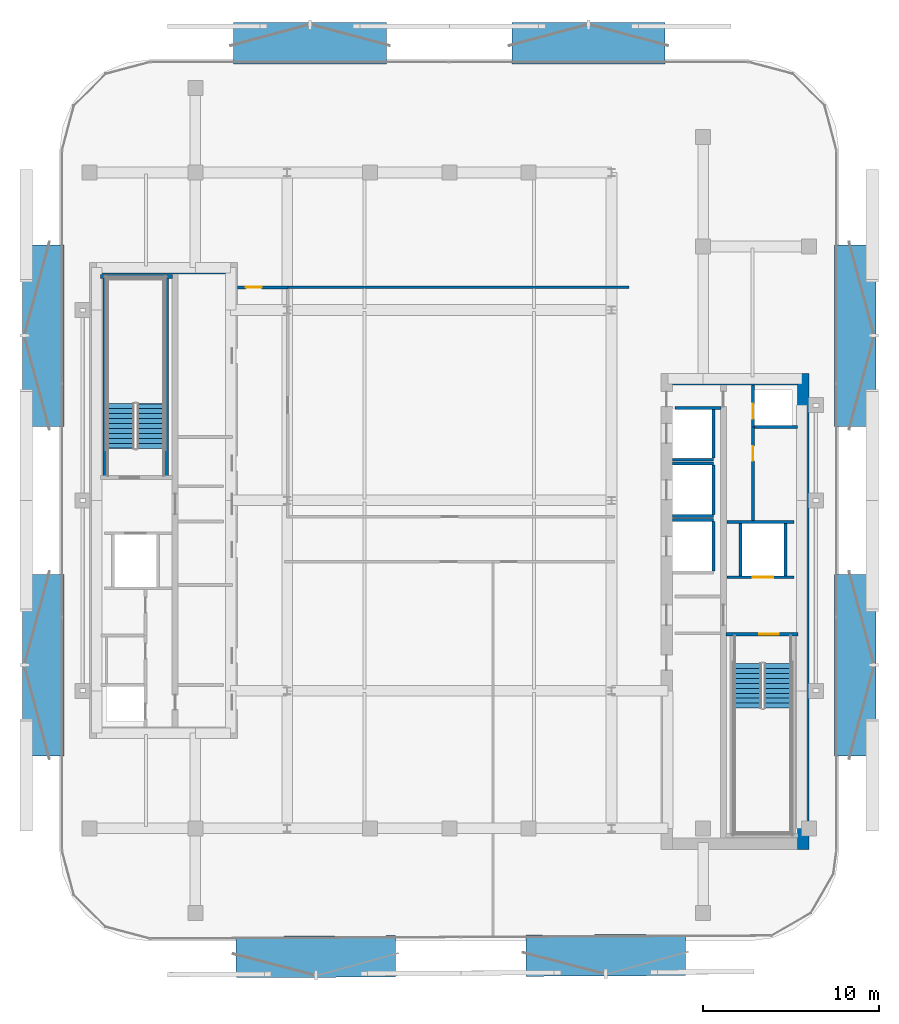
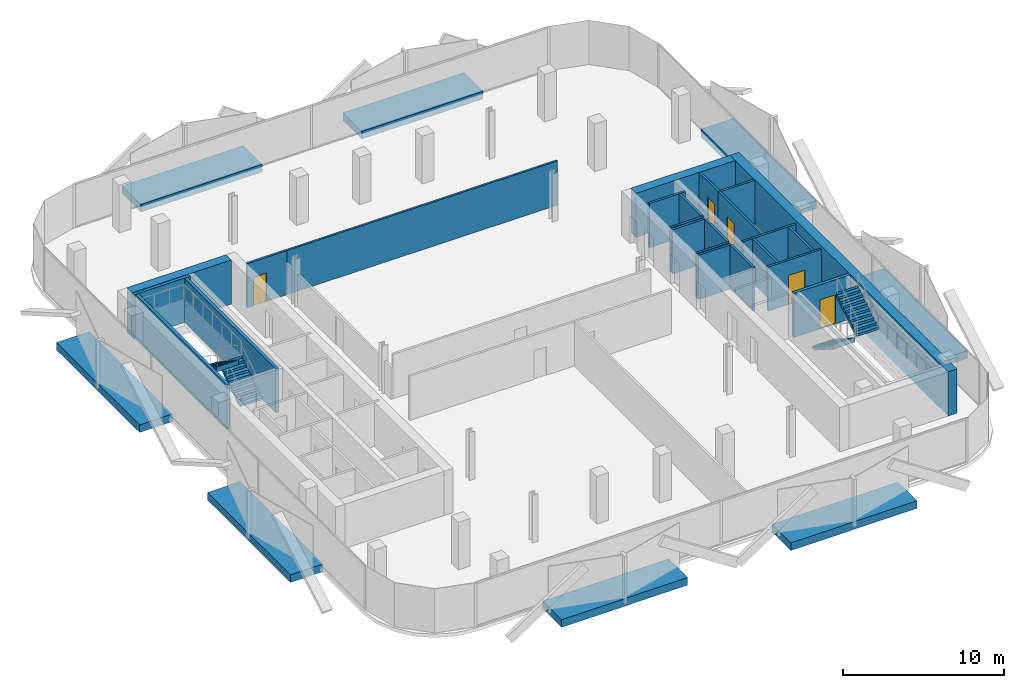
# One storey, part 4 of 11: 24 walls, 8 discrete accessories, 5 doors, 4 stair flights, 5 openings, 2 elements without a shape of their own.
"""IFC4 building model written with IfcOpenShell, lengths in metres."""

from ifc_helpers import new_model, si_unit, direction, frame, frame_2d, origin, origin_2d, place, context, subcontext, project, spatial, polyline, rectangle, outline, extrude, material, layer, layer_set, type_object, element, fill, aggregate, save


model = new_model("IFC4")

# Units and contexts
model_context = context("Model", 3, precision=1e-05, world=origin(), true_north=direction((0.0, 1.0)))
body_context = subcontext(model_context, "Body", "Model", "MODEL_VIEW")
ifc_project = project(units=[si_unit("LENGTHUNIT", "METRE"), si_unit("AREAUNIT", "SQUARE_METRE"), si_unit("VOLUMEUNIT", "CUBIC_METRE"), si_unit("PLANEANGLEUNIT", "RADIAN"), si_unit("MASSUNIT", "GRAM", prefix="KILO")], contexts=[model_context])

# Site, building, storey
site_placement = place(None, origin())
site = spatial("IfcSite", under=ifc_project, at=site_placement, CompositionType="ELEMENT")
building_placement = place(site_placement, origin())
building = spatial("IfcBuilding", under=site, at=building_placement, Name="Khairoan Windgate Tower", CompositionType="ELEMENT")
storey_placement = place(building_placement, frame((0.0, 0.0, 222.39990234375)))
storey = spatial("IfcBuildingStorey", under=building, at=storey_placement, Name="L51", CompositionType="ELEMENT", Elevation=222.39990234375)

# Walls
ifc_material_1 = material(Name="Concrete C40/50", Category="concrete")
ifc_layer_1 = layer(ifc_material_1, 0.159912109375, Name="Concrete C40/50")
ifc_layer_set_1 = layer_set([ifc_layer_1], Name="Concrete C40/50")
wall_type_1 = type_object("IfcWallType", Name="Core and Hoistway Enclosure Wall", PredefinedType="STANDARD", material=ifc_layer_set_1)
wall_1_placement = place(storey_placement, frame((12.64990234375, 2.31005859375, 0.0), z_axis=(0.0, 0.0, 1.0), x_axis=(1.0, 0.0, 0.0)))
element("IfcWall", 1, at=wall_1_placement, inside=storey, type_object=wall_type_1, Name="L51 Lift PL7 Hoistway Divider S", PredefinedType="STANDARD", context=body_context, shape_type="SweptSolid", body=[
    extrude(rectangle(XDim=2.340087890625, YDim=0.159912109375, at=frame_2d((1.169921875, 0.0))), origin(), (0.0, 0.0, 1.0), 3.340087890625),
])
wall_2_placement = place(storey_placement, frame((14.989990234375, 2.39990234375, 0.0), z_axis=(0.0, 0.0, 1.0), x_axis=(0.0, 1.0, 0.0)))
element("IfcWall", 2, at=wall_2_placement, inside=storey, type_object=wall_type_1, Name="L51 Lift PL7 Hoistway Back Wall", PredefinedType="STANDARD", context=body_context, shape_type="SweptSolid", body=[
    extrude(rectangle(XDim=2.800048828125, YDim=0.159912109375, at=frame_2d((1.39990234375, 0.0))), origin(), (0.0, 0.0, 1.0), 3.340087890625),
])
for number, where, z_axis, x_axis, name in (
    (3, (12.64990234375, -0.889892578125, 0.0), (0.0, 0.0, 1.0), (1.0, 0.0, 0.0), "L51 Lift PL8 Hoistway Divider S"),
    (4, (12.64990234375, 2.090087890625, 0.0), (0.0, 0.0, 1.0), (1.0, 0.0, 0.0), "L51 Lift PL8 Hoistway Divider N"),
):
    element("IfcWall", number, at=place(storey_placement, frame(where, z_axis=z_axis, x_axis=x_axis)), inside=storey, type_object=wall_type_1, Name=name, PredefinedType="STANDARD", context=body_context, shape_type="SweptSolid", body=[
        extrude(rectangle(XDim=2.340087890625, YDim=0.159912109375, at=frame_2d((1.169921875, 0.0))), origin(), (0.0, 0.0, 1.0), 3.340087890625),
    ])
wall_3_placement = place(storey_placement, frame((14.989990234375, -0.800048828125, 0.0), z_axis=(0.0, 0.0, 1.0), x_axis=(0.0, 1.0, 0.0)))
element("IfcWall", 5, at=wall_3_placement, inside=storey, type_object=wall_type_1, Name="L51 Lift PL8 Hoistway Back Wall", PredefinedType="STANDARD", context=body_context, shape_type="SweptSolid", body=[
    extrude(rectangle(XDim=2.800048828125, YDim=0.159912109375, at=frame_2d((1.39990234375, 0.0))), origin(), (0.0, 0.0, 1.0), 3.340087890625),
])
wall_4_placement = place(storey_placement, frame((12.64990234375, -1.110107421875, 0.0), z_axis=(0.0, 0.0, 1.0), x_axis=(1.0, 0.0, 0.0)))
element("IfcWall", 6, at=wall_4_placement, inside=storey, type_object=wall_type_1, Name="L51 Lift PL9 Hoistway Divider N", PredefinedType="STANDARD", context=body_context, shape_type="SweptSolid", body=[
    extrude(rectangle(XDim=2.340087890625, YDim=0.159912109375, at=frame_2d((1.169921875, 0.0))), origin(), (0.0, 0.0, 1.0), 3.340087890625),
])
wall_5_placement = place(storey_placement, frame((14.989990234375, -4.0, 0.0), z_axis=(0.0, 0.0, 1.0), x_axis=(0.0, 1.0, 0.0)))
element("IfcWall", 7, at=wall_5_placement, inside=storey, type_object=wall_type_1, Name="L51 Lift PL9 Hoistway Back Wall", PredefinedType="STANDARD", context=body_context, shape_type="SweptSolid", body=[
    extrude(rectangle(XDim=2.800048828125, YDim=0.159912109375, at=frame_2d((1.39990234375, 0.0))), origin(), (0.0, 0.0, 1.0), 3.340087890625),
])

# Wall, opening, door
wall_6_placement = place(storey_placement, frame((15.75, -4.360107421875, 0.0), z_axis=(0.0, 0.0, 1.0), x_axis=(1.0, 0.0, 0.0)))
wall_6 = element("IfcWall", 8, at=wall_6_placement, inside=storey, type_object=wall_type_1, Name="L51 Core Shaft Wall SW-FL1-L51", PredefinedType="STANDARD", context=body_context, shape_type="SweptSolid", body=[
    extrude(rectangle(XDim=3.800048828125, YDim=0.159912109375, at=frame_2d((1.89990234375, 0.0))), origin(), (0.0, 0.0, 1.0), 3.340087890625),
])
opening_1_placement = place(wall_6_placement, frame((1.469970703125, 0.0, 0.0)))
opening_1 = element("IfcOpeningElement", 9, at=opening_1_placement, cuts=wall_6, Name="Opening LD-FL", PredefinedType="OPENING", context=body_context, shape_type="SweptSolid", body=[
    extrude(rectangle(XDim=1.14990234375, YDim=2.199951171875, at=frame_2d((0.574951171875, 1.10009765625))), frame((0.0, 0.08984375, 0.0), z_axis=(0.0, -1.0, 0.0), x_axis=(1.0, 0.0, 0.0)), (0.0, 0.0, 1.0), 0.179931640625),
])
ifc_material_2 = material(Name="Steel S355", Category="steel")
door_type_1 = type_object("IfcDoorType", Name="Firefighting Lift Sliding Landing Door LD-FL 1150x2200", OperationType="DOUBLE_DOOR_SLIDING", PredefinedType="DOOR", material=ifc_material_2)
door_1_placement = place(opening_1_placement, origin())
door_1 = element("IfcDoor", 10, at=door_1_placement, inside=storey, type_object=door_type_1, Name="L51 Firefighting Lift FL1 Landing Door", OperationType="DOUBLE_DOOR_SLIDING", OverallHeight=2.199951171875, OverallWidth=1.14990234375, PredefinedType="DOOR", context=body_context, shape_type="SweptSolid", body=[
    extrude(rectangle(XDim=1.14990234375, YDim=2.199951171875, at=frame_2d((0.574951171875, 1.10009765625))), frame((0.0, 0.02490234375, 0.0), z_axis=(0.0, -1.0, 0.0), x_axis=(1.0, 0.0, 0.0)), (0.0, 0.0, 1.0), 0.050048828125),
])
fill(opening_1, door_1)

# Walls
wall_7_placement = place(storey_placement, frame((15.75, -1.219970703125, 0.0), z_axis=(0.0, 0.0, 1.0), x_axis=(1.0, 0.0, 0.0)))
element("IfcWall", 11, at=wall_7_placement, inside=storey, type_object=wall_type_1, Name="L51 Core Shaft Wall SW-FL1T-L51", PredefinedType="STANDARD", context=body_context, shape_type="SweptSolid", body=[
    extrude(rectangle(XDim=3.800048828125, YDim=0.159912109375, at=frame_2d((1.89990234375, 0.0))), origin(), (0.0, 0.0, 1.0), 3.340087890625),
])
for number, where, z_axis, x_axis, name in (
    (12, (16.52001953125, -4.280029296875, 0.0), (0.0, 0.0, 1.0), (0.0, 1.0, 0.0), "L51 Core Shaft Wall SW-FL1W-L51"),
    (13, (19.080078125, -4.280029296875, 0.0), (0.0, 0.0, 1.0), (0.0, 1.0, 0.0), "L51 Core Shaft Wall SW-FL1E-L51"),
):
    element("IfcWall", number, at=place(storey_placement, frame(where, z_axis=z_axis, x_axis=x_axis)), inside=storey, type_object=wall_type_1, Name=name, PredefinedType="STANDARD", context=body_context, shape_type="SweptSolid", body=[
        extrude(rectangle(XDim=2.97998046875, YDim=0.159912109375, at=frame_2d((1.489990234375, 0.0))), origin(), (0.0, 0.0, 1.0), 3.340087890625),
    ])
wall_8_placement = place(storey_placement, frame((12.800048828125, 5.25, 0.0), z_axis=(0.0, 0.0, 1.0), x_axis=(1.0, 0.0, 0.0)))
element("IfcWall", 14, at=wall_8_placement, inside=storey, type_object=wall_type_1, Name="L51 Core Shaft Wall SW-ESV-L51", PredefinedType="STANDARD", context=body_context, shape_type="SweptSolid", body=[
    extrude(rectangle(XDim=2.599853515625, YDim=0.159912109375, at=frame_2d((1.2998046875, 0.0))), origin(), (0.0, 0.0, 1.0), 3.340087890625),
])
ifc_material_3 = material(Name="Acoustic Fire-Rated Gypsum Partition", Category="gypsum")
ifc_layer_2 = layer(ifc_material_3, 0.139892578125, Name="Acoustic Fire-Rated Gypsum Partition")
ifc_layer_set_2 = layer_set([ifc_layer_2], Name="Acoustic Fire-Rated Gypsum Partition")
wall_type_2 = type_object("IfcWallType", Name="Inter-Tenancy Compartment Wall", PredefinedType="PARTITIONING", material=ifc_layer_set_2)
wall_9_placement = place(storey_placement, frame((-9.159912109375, 12.080078125, 0.0), z_axis=(0.0, 0.0, 1.0), x_axis=(1.0, 0.0, 0.0)))
element("IfcWall", 15, at=wall_9_placement, inside=storey, type_object=wall_type_2, Name="L51 Interior Partition 016", PredefinedType="PARTITIONING", context=body_context, shape_type="SweptSolid", body=[
    extrude(rectangle(XDim=19.349853515625, YDim=0.139892578125, at=frame_2d((9.6748046875, 0.0))), origin(), (0.0, 0.0, 1.0), 3.340087890625),
])

# Wall, opening, door
ifc_material_4 = material(Name="Concrete C40/50", Category="concrete")
ifc_layer_3 = layer(ifc_material_4, 0.159912109375, Name="Concrete C40/50")
ifc_layer_set_3 = layer_set([ifc_layer_3], Name="Concrete C40/50")
wall_type_3 = type_object("IfcWallType", Name="Plant and Refuge Compartment Wall", PredefinedType="PARTITIONING", material=ifc_layer_set_3)
wall_10_placement = place(storey_placement, frame((17.22998046875, 4.169921875, 0.0), z_axis=(0.0, 0.0, 1.0), x_axis=(0.0, 1.0, 0.0)))
wall_10 = element("IfcWall", 16, at=wall_10_placement, inside=storey, type_object=wall_type_3, Name="L51 Interior Partition 008", PredefinedType="PARTITIONING", context=body_context, shape_type="SweptSolid", body=[
    extrude(rectangle(XDim=2.380126953125, YDim=0.159912109375, at=frame_2d((1.18994140625, 0.0))), origin(), (0.0, 0.0, 1.0), 3.340087890625),
])
opening_2_placement = place(wall_10_placement, frame((0.4599609375, 0.0, 0.0)))
opening_2 = element("IfcOpeningElement", 17, at=opening_2_placement, cuts=wall_10, Name="Opening FD-SRV", PredefinedType="OPENING", context=body_context, shape_type="SweptSolid", body=[
    extrude(rectangle(XDim=0.85009765625, YDim=2.10009765625, at=frame_2d((0.425048828125, 1.050048828125))), frame((0.0, 0.08984375, 0.0), z_axis=(0.0, -1.0, 0.0), x_axis=(1.0, 0.0, 0.0)), (0.0, 0.0, 1.0), 0.179931640625),
])
ifc_material_5 = material(Name="Steel S355", Category="steel")
door_type_2 = type_object("IfcDoorType", Name="Core Service and Riser Fire Door FD-SRV 850x2100", OperationType="NOTDEFINED", PredefinedType="DOOR", material=ifc_material_5)
door_2_placement = place(opening_2_placement, origin())
door_2 = element("IfcDoor", 18, at=door_2_placement, inside=storey, type_object=door_type_2, Name="L51 L51-17-L51-18 Door", OperationType="SINGLE_SWING_LEFT", OverallHeight=2.10009765625, OverallWidth=0.85009765625, PredefinedType="DOOR", context=body_context, shape_type="SweptSolid", body=[
    extrude(rectangle(XDim=0.85009765625, YDim=2.10009765625, at=frame_2d((0.425048828125, 1.050048828125))), frame((0.0, 0.02490234375, 0.0), z_axis=(0.0, -1.0, 0.0), x_axis=(1.0, 0.0, 0.0)), (0.0, 0.0, 1.0), 0.050048828125),
])
fill(opening_2, door_2)

wall_11_placement = place(storey_placement, frame((17.22998046875, -1.139892578125, 0.0), z_axis=(0.0, 0.0, 1.0), x_axis=(0.0, 1.0, 0.0)))
wall_11 = element("IfcWall", 19, at=wall_11_placement, inside=storey, type_object=wall_type_3, Name="L51 Interior Partition 009", PredefinedType="PARTITIONING", context=body_context, shape_type="SweptSolid", body=[
    extrude(rectangle(XDim=5.309814453125, YDim=0.159912109375, at=frame_2d((2.65478515625, 0.0))), origin(), (0.0, 0.0, 1.0), 3.340087890625),
])
opening_3_placement = place(wall_11_placement, frame((3.375244140625, 0.0, 0.0)))
opening_3 = element("IfcOpeningElement", 20, at=opening_3_placement, cuts=wall_11, Name="Opening FD-SRV", PredefinedType="OPENING", context=body_context, shape_type="SweptSolid", body=[
    extrude(rectangle(XDim=0.85009765625, YDim=2.10009765625, at=frame_2d((0.425048828125, 1.050048828125))), frame((0.0, 0.08984375, 0.0), z_axis=(0.0, -1.0, 0.0), x_axis=(1.0, 0.0, 0.0)), (0.0, 0.0, 1.0), 0.179931640625),
])
door_3_placement = place(opening_3_placement, origin())
door_3 = element("IfcDoor", 21, at=door_3_placement, inside=storey, type_object=door_type_2, Name="L51 L51-17-L51-19 Door", OperationType="SINGLE_SWING_RIGHT", OverallHeight=2.10009765625, OverallWidth=0.85009765625, PredefinedType="DOOR", context=body_context, shape_type="SweptSolid", body=[
    extrude(rectangle(XDim=0.85009765625, YDim=2.10009765625, at=frame_2d((0.425048828125, 1.050048828125))), frame((0.0, 0.02490234375, 0.0), z_axis=(0.0, -1.0, 0.0), x_axis=(1.0, 0.0, 0.0)), (0.0, 0.0, 1.0), 0.050048828125),
])
fill(opening_3, door_3)

# Wall
wall_12_placement = place(storey_placement, frame((17.31005859375, 4.169921875, 0.0), z_axis=(0.0, 0.0, 1.0), x_axis=(1.0, 0.0, 0.0)))
element("IfcWall", 22, at=wall_12_placement, inside=storey, type_object=wall_type_3, Name="L51 Interior Partition 010", PredefinedType="PARTITIONING", context=body_context, shape_type="SweptSolid", body=[
    extrude(rectangle(XDim=2.43994140625, YDim=0.159912109375, at=frame_2d((1.219970703125, 0.0))), origin(), (0.0, 0.0, 1.0), 3.340087890625),
])

# Wall, opening, door
ifc_material_6 = material(Name="Acoustic Fire-Rated Gypsum Partition", Category="gypsum")
ifc_layer_4 = layer(ifc_material_6, 0.14990234375, Name="Acoustic Fire-Rated Gypsum Partition")
ifc_layer_set_4 = layer_set([ifc_layer_4], Name="Acoustic Fire-Rated Gypsum Partition")
wall_type_4 = type_object("IfcWallType", Name="Rated Corridor Partition Wall", PredefinedType="PARTITIONING", material=ifc_layer_set_4)
wall_13_placement = place(storey_placement, frame((-12.0, 12.080078125, 0.0), z_axis=(0.0, 0.0, 1.0), x_axis=(1.0, 0.0, 0.0)))
wall_13 = element("IfcWall", 23, at=wall_13_placement, inside=storey, type_object=wall_type_4, Name="L51 Interior Partition 012", PredefinedType="PARTITIONING", context=body_context, shape_type="SweptSolid", body=[
    extrude(rectangle(XDim=2.840087890625, YDim=0.14990234375, at=frame_2d((1.419921875, 0.0))), origin(), (0.0, 0.0, 1.0), 3.340087890625),
])
opening_4_placement = place(wall_13_placement, frame((0.4599609375, 0.0, 0.0)))
opening_4 = element("IfcOpeningElement", 24, at=opening_4_placement, cuts=wall_13, Name="Opening FD-ENT", PredefinedType="OPENING", context=body_context, shape_type="SweptSolid", body=[
    extrude(rectangle(XDim=0.89990234375, YDim=2.14990234375, at=frame_2d((0.449951171875, 1.074951171875))), frame((0.0, 0.0849609375, 0.0), z_axis=(0.0, -1.0, 0.0), x_axis=(1.0, 0.0, 0.0)), (0.0, 0.0, 1.0), 0.169921875),
])
ifc_material_7 = material(Name="Timber Fire-Rated Core", Category="wood")
door_type_3 = type_object("IfcDoorType", Name="Unit and Office Fire Entrance Door FD-ENT 900x2150", OperationType="NOTDEFINED", PredefinedType="DOOR", material=ifc_material_7)
door_4_placement = place(opening_4_placement, origin())
door_4 = element("IfcDoor", 25, at=door_4_placement, inside=storey, type_object=door_type_3, Name="L51 L51-26-L51-30 Door", OperationType="SINGLE_SWING_RIGHT", OverallHeight=2.14990234375, OverallWidth=0.89990234375, PredefinedType="DOOR", context=body_context, shape_type="SweptSolid", body=[
    extrude(rectangle(XDim=0.89990234375, YDim=2.14990234375, at=frame_2d((0.449951171875, 1.074951171875))), frame((0.0, 0.02490234375, 0.0), z_axis=(0.0, -1.0, 0.0), x_axis=(1.0, 0.0, 0.0)), (0.0, 0.0, 1.0), 0.050048828125),
])
fill(opening_4, door_4)

# Walls
ifc_material_8 = material(Name="Concrete C60/75", Category="concrete")
ifc_layer_5 = layer(ifc_material_8, 0.64990234375, Name="Concrete C60/75")
ifc_layer_set_5 = layer_set([ifc_layer_5], Name="Concrete C60/75")
wall_type_5 = type_object("IfcWallType", Name="Shear Wall CW-E2 650mm", PredefinedType="SHEAR", material=ifc_layer_set_5)
wall_14_placement = place(storey_placement, frame((20.074951171875, -19.800048828125, 0.0), z_axis=(0.0, 0.0, 1.0), x_axis=(0.0, 1.0, 0.0)))
element("IfcWall", 26, at=wall_14_placement, inside=storey, type_object=wall_type_5, Name="E Core East Shear Wall L51", PredefinedType="SHEAR", context=body_context, shape_type="SweptSolid", body=[
    extrude(rectangle(XDim=27.0, YDim=0.64990234375, at=frame_2d((13.5, 0.0))), origin(), (0.0, 0.0, 1.0), 3.340087890625),
])
wall_15_placement = place(storey_placement, frame((12.64990234375, 6.875, 0.0), z_axis=(0.0, 0.0, 1.0), x_axis=(1.0, 0.0, 0.0)))
element("IfcWall", 27, at=wall_15_placement, inside=storey, type_object=wall_type_5, Name="E Core North Shear Wall L51", PredefinedType="SHEAR", context=body_context, shape_type="SweptSolid", body=[
    extrude(rectangle(XDim=7.10009765625, YDim=0.64990234375, at=frame_2d((3.550048828125, 0.0))), origin(), (0.0, 0.0, 1.0), 3.340087890625),
])
ifc_material_9 = material(Name="Concrete C60/75", Category="concrete")
ifc_layer_6 = layer(ifc_material_9, 0.64990234375, Name="Concrete C60/75")
ifc_layer_set_6 = layer_set([ifc_layer_6], Name="Concrete C60/75")
wall_type_6 = type_object("IfcWallType", Name="Shear Wall CW-W2 650mm", PredefinedType="SHEAR", material=ifc_layer_set_6)
wall_16_placement = place(storey_placement, frame((-19.75, 13.175048828125, 0.0), z_axis=(0.0, 0.0, 1.0), x_axis=(1.0, 0.0, 0.0)))
element("IfcWall", 28, at=wall_16_placement, inside=storey, type_object=wall_type_6, Name="W Core North Shear Wall L51", PredefinedType="SHEAR", context=body_context, shape_type="SweptSolid", body=[
    extrude(rectangle(XDim=7.10009765625, YDim=0.64990234375, at=frame_2d((3.550048828125, 0.0))), origin(), (0.0, 0.0, 1.0), 3.340087890625),
])

# Wall, opening, door
ifc_material_10 = material(Name="Concrete C50/60", Category="concrete")
ifc_layer_7 = layer(ifc_material_10, 0.219970703125, Name="Concrete C50/60")
ifc_layer_set_7 = layer_set([ifc_layer_7], Name="Concrete C50/60")
wall_type_7 = type_object("IfcWallType", Name="Shear Wall SW-ST 220mm", PredefinedType="SHEAR", material=ifc_layer_set_7)
wall_17_placement = place(storey_placement, frame((19.77001953125, -7.590087890625, 0.0), z_axis=(0.0, 0.0, 1.0), x_axis=(-1.0, 0.0, 0.0)))
wall_17 = element("IfcWall", 29, at=wall_17_placement, inside=storey, type_object=wall_type_7, Name="L51 Stair ST1 North Bearing Wall", PredefinedType="SHEAR", context=body_context, shape_type="SweptSolid", body=[
    extrude(rectangle(XDim=4.06494140625, YDim=0.219970703125, at=frame_2d((2.032470703125, 0.0))), origin(), (0.0, 0.0, 1.0), 3.340087890625),
])
opening_5_placement = place(wall_17_placement, frame((1.080078125, 0.0, 0.0)))
opening_5 = element("IfcOpeningElement", 30, at=opening_5_placement, cuts=wall_17, Name="Opening FD-ST", PredefinedType="OPENING", context=body_context, shape_type="SweptSolid", body=[
    extrude(rectangle(XDim=1.10009765625, YDim=2.199951171875, at=frame_2d((0.550048828125, 1.10009765625))), frame((0.0, 0.119873046875, 0.0), z_axis=(0.0, -1.0, 0.0), x_axis=(1.0, 0.0, 0.0)), (0.0, 0.0, 1.0), 0.239990234375),
])
ifc_material_11 = material(Name="Steel S355", Category="steel")
door_type_4 = type_object("IfcDoorType", Name="Smokeproof Stair Fire Door FD-ST 1100x2200", OperationType="NOTDEFINED", PredefinedType="DOOR", material=ifc_material_11)
door_5_placement = place(opening_5_placement, origin())
door_5 = element("IfcDoor", 31, at=door_5_placement, inside=storey, type_object=door_type_4, Name="L51 Stair ST1 Fire Door", OperationType="SINGLE_SWING_LEFT", OverallHeight=2.199951171875, OverallWidth=1.10009765625, PredefinedType="DOOR", context=body_context, shape_type="SweptSolid", body=[
    extrude(rectangle(XDim=1.10009765625, YDim=2.199951171875, at=frame_2d((0.550048828125, 1.10009765625))), frame((0.0, 0.02490234375, 0.0), z_axis=(0.0, -1.0, 0.0), x_axis=(1.0, 0.0, 0.0)), (0.0, 0.0, 1.0), 0.050048828125),
])
fill(opening_5, door_5)

# Walls
for number, where, z_axis, x_axis, name in (
    (32, (-16.0400390625, 1.2900390625, 0.0), (0.0, 0.0, 1.0), (0.0, 1.0, 0.0), "L51 Stair ST2 East Bearing Wall"),
    (33, (-19.530029296875, 1.2900390625, 0.0), (0.0, 0.0, 1.0), (0.0, 1.0, 0.0), "L51 Stair ST2 West Bearing Wall"),
):
    element("IfcWall", number, at=place(storey_placement, frame(where, z_axis=z_axis, x_axis=x_axis)), inside=storey, type_object=wall_type_7, Name=name, PredefinedType="SHEAR", context=body_context, shape_type="SweptSolid", body=[
        extrude(rectangle(XDim=11.419921875, YDim=0.219970703125, at=frame_2d((5.7099609375, 0.0))), origin(), (0.0, 0.0, 1.0), 3.340087890625),
    ])
wall_18_placement = place(storey_placement, frame((-19.77001953125, 12.7099609375, 0.0), z_axis=(0.0, 0.0, 1.0), x_axis=(1.0, 0.0, 0.0)))
element("IfcWall", 34, at=wall_18_placement, inside=storey, type_object=wall_type_7, Name="L51 Stair ST2 North Bearing Wall", PredefinedType="SHEAR", context=body_context, shape_type="SweptSolid", body=[
    extrude(rectangle(XDim=4.06494140625, YDim=0.219970703125, at=frame_2d((2.032470703125, 0.0))), origin(), (0.0, 0.0, 1.0), 3.340087890625),
])

# Stair, stair flights
ifc_material_12 = material(Name="Concrete C40/50", Category="concrete")
stair_type = type_object("IfcStairType", Name="Tower Core Dog-Leg Stair ST-T1 1560mm", PredefinedType="HALF_TURN_STAIR", material=ifc_material_12)
stair_1_placement = place(storey_placement, origin())
stair_1 = element("IfcStair", 35, at=stair_1_placement, inside=storey, type_object=stair_type, Name="L51 Stair ST1", PredefinedType="HALF_TURN_STAIR")
ifc_material_13 = material(Name="Concrete C40/50", Category="concrete")
ifc_layer_8 = layer(ifc_material_13, 0.14990234375, Name="Concrete C40/50")
ifc_layer_set_8 = layer_set([ifc_layer_8], Name="Concrete C40/50")
stair_flight_type = type_object("IfcStairFlightType", Name="Tower Core Stair Flight STF-1560", PredefinedType="STRAIGHT", material=ifc_layer_set_8)
stair_flight_1_placement = place(storey_placement, frame((16.929931640625, -9.260009765625, 0.0), z_axis=(0.0, 0.0, 1.0), x_axis=(0.0, -1.0, 0.0)))
stair_flight_1 = element("IfcStairFlight", 36, at=stair_flight_1_placement, type_object=stair_flight_type, Name="ST1 flight 1", NumberOfRisers=10, NumberOfTreads=9, PredefinedType="STRAIGHT", RiserHeight=0.18, TreadLength=0.28, context=body_context, shape_type="SweptSolid", body=[
    extrude(outline(polyline([(-0.00390625, 0.0), (-0.00390625, 0.179931640625), (0.0, 0.179931640625), (0.280029296875, 0.179931640625), (0.280029296875, 0.360107421875), (0.56005859375, 0.360107421875), (0.56005859375, 0.5400390625), (0.840087890625, 0.5400390625), (0.840087890625, 0.719970703125), (1.1201171875, 0.719970703125), (1.1201171875, 0.89990234375), (1.39990234375, 0.89990234375), (1.39990234375, 1.080078125), (1.679931640625, 1.080078125), (1.679931640625, 1.260009765625), (1.9599609375, 1.260009765625), (1.9599609375, 1.43994140625), (2.239990234375, 1.43994140625), (2.239990234375, 1.6201171875), (2.52001953125, 1.6201171875), (2.52001953125, 1.800048828125), (2.52392578125, 1.800048828125), (2.52392578125, 1.44189453125), (0.277099609375, 0.0), (-0.00390625, 0.0)])), frame((0.0, 0.780029296875, 0.0), z_axis=(0.0, -1.0, 0.0), x_axis=(1.0, 0.0, 0.0)), (0.0, 0.0, 1.0), 1.56005859375),
])
stair_flight_2_placement = place(storey_placement, frame((18.639892578125, -11.780029296875, 1.800048828125), z_axis=(0.0, 0.0, 1.0), x_axis=(0.0, 1.0, 0.0)))
stair_flight_2 = element("IfcStairFlight", 37, at=stair_flight_2_placement, type_object=stair_flight_type, Name="ST1 flight 2", NumberOfRisers=10, NumberOfTreads=9, PredefinedType="STRAIGHT", RiserHeight=0.18, TreadLength=0.28, context=body_context, shape_type="SweptSolid", body=[
    extrude(outline(polyline([(-0.00390625, 0.0), (-0.00390625, 0.179931640625), (0.0, 0.179931640625), (0.280029296875, 0.179931640625), (0.280029296875, 0.360107421875), (0.56005859375, 0.360107421875), (0.56005859375, 0.5400390625), (0.840087890625, 0.5400390625), (0.840087890625, 0.719970703125), (1.1201171875, 0.719970703125), (1.1201171875, 0.89990234375), (1.39990234375, 0.89990234375), (1.39990234375, 1.080078125), (1.679931640625, 1.080078125), (1.679931640625, 1.260009765625), (1.9599609375, 1.260009765625), (1.9599609375, 1.43994140625), (2.239990234375, 1.43994140625), (2.239990234375, 1.6201171875), (2.52001953125, 1.6201171875), (2.52001953125, 1.800048828125), (2.52392578125, 1.800048828125), (2.52392578125, 1.44189453125), (0.277099609375, 0.0), (-0.00390625, 0.0)])), frame((0.0, 0.780029296875, 0.0), z_axis=(0.0, -1.0, 0.0), x_axis=(1.0, 0.0, 0.0)), (0.0, 0.0, 1.0), 1.56005859375),
])
aggregate(stair_1, [stair_flight_1, stair_flight_2])

stair_2_placement = place(storey_placement, origin())
stair_2 = element("IfcStair", 38, at=stair_2_placement, inside=storey, type_object=stair_type, Name="L51 Stair ST2", PredefinedType="HALF_TURN_STAIR")
stair_flight_3_placement = place(storey_placement, frame((-16.929931640625, 2.9599609375, 0.0), z_axis=(0.0, 0.0, 1.0), x_axis=(0.0, 1.0, 0.0)))
stair_flight_3 = element("IfcStairFlight", 39, at=stair_flight_3_placement, type_object=stair_flight_type, Name="ST2 flight 1", NumberOfRisers=10, NumberOfTreads=9, PredefinedType="STRAIGHT", RiserHeight=0.18, TreadLength=0.28, context=body_context, shape_type="SweptSolid", body=[
    extrude(outline(polyline([(-0.00390625, 0.0), (-0.00390625, 0.179931640625), (0.0, 0.179931640625), (0.280029296875, 0.179931640625), (0.280029296875, 0.360107421875), (0.56005859375, 0.360107421875), (0.56005859375, 0.5400390625), (0.840087890625, 0.5400390625), (0.840087890625, 0.719970703125), (1.1201171875, 0.719970703125), (1.1201171875, 0.89990234375), (1.39990234375, 0.89990234375), (1.39990234375, 1.080078125), (1.679931640625, 1.080078125), (1.679931640625, 1.260009765625), (1.9599609375, 1.260009765625), (1.9599609375, 1.43994140625), (2.239990234375, 1.43994140625), (2.239990234375, 1.6201171875), (2.52001953125, 1.6201171875), (2.52001953125, 1.800048828125), (2.52392578125, 1.800048828125), (2.52392578125, 1.44189453125), (0.277099609375, 0.0), (-0.00390625, 0.0)])), frame((0.0, 0.780029296875, 0.0), z_axis=(0.0, -1.0, 0.0), x_axis=(1.0, 0.0, 0.0)), (0.0, 0.0, 1.0), 1.56005859375),
])
stair_flight_4_placement = place(storey_placement, frame((-18.639892578125, 5.47998046875, 1.800048828125), z_axis=(0.0, 0.0, 1.0), x_axis=(0.0, -1.0, 0.0)))
stair_flight_4 = element("IfcStairFlight", 40, at=stair_flight_4_placement, type_object=stair_flight_type, Name="ST2 flight 2", NumberOfRisers=10, NumberOfTreads=9, PredefinedType="STRAIGHT", RiserHeight=0.18, TreadLength=0.28, context=body_context, shape_type="SweptSolid", body=[
    extrude(outline(polyline([(-0.00390625, 0.0), (-0.00390625, 0.179931640625), (0.0, 0.179931640625), (0.280029296875, 0.179931640625), (0.280029296875, 0.360107421875), (0.56005859375, 0.360107421875), (0.56005859375, 0.5400390625), (0.840087890625, 0.5400390625), (0.840087890625, 0.719970703125), (1.1201171875, 0.719970703125), (1.1201171875, 0.89990234375), (1.39990234375, 0.89990234375), (1.39990234375, 1.080078125), (1.679931640625, 1.080078125), (1.679931640625, 1.260009765625), (1.9599609375, 1.260009765625), (1.9599609375, 1.43994140625), (2.239990234375, 1.43994140625), (2.239990234375, 1.6201171875), (2.52001953125, 1.6201171875), (2.52001953125, 1.800048828125), (2.52392578125, 1.800048828125), (2.52392578125, 1.44189453125), (0.277099609375, 0.0), (-0.00390625, 0.0)])), frame((0.0, 0.780029296875, 0.0), z_axis=(0.0, -1.0, 0.0), x_axis=(1.0, 0.0, 0.0)), (0.0, 0.0, 1.0), 1.56005859375),
])
aggregate(stair_2, [stair_flight_3, stair_flight_4])

# Discrete accessories
ifc_material_14 = material(Name="Steel S355", Category="steel")
discrete_accessory_type = type_object("IfcDiscreteAccessoryType", Name="Solar Screen Outrigger Slab Bracket SSB-1", PredefinedType="BRACKET", material=ifc_material_14)
for number, where, z_axis, x_axis, name in (
    (41, (8.8701171875, -25.80517578125, -0.419921875), (0.0, 0.0, 1.0), (-0.999988059021, -0.004886902454, 0.0), "L51 Solar Screen Outrigger Bracket 337"),
    (42, (-7.567138671875, -25.884521484375, -0.419921875), (0.0, 0.0, 1.0), (-0.999988059021, -0.004886902454, 0.0), "L51 Solar Screen Outrigger Bracket 338"),
):
    element("IfcDiscreteAccessory", number, at=place(storey_placement, frame(where, z_axis=z_axis, x_axis=x_axis)), inside=storey, type_object=discrete_accessory_type, Name=name, PredefinedType="BRACKET", context=body_context, shape_type="SweptSolid", body=[
        extrude(rectangle(XDim=9.041015625, YDim=2.340087890625, at=origin_2d()), origin(), (0.0, 0.0, 1.0), 0.580078125),
    ])
for number, where, z_axis, x_axis, name in (
    (43, (-23.030029296875, -9.345458984375, -0.419921875), (0.0, 0.0, 1.0), (0.0, 1.0, 0.0), "L51 Solar Screen Outrigger Bracket 339"),
    (44, (-23.030029296875, 9.345458984375, -0.419921875), (0.0, 0.0, 1.0), (0.0, 1.0, 0.0), "L51 Solar Screen Outrigger Bracket 340"),
):
    element("IfcDiscreteAccessory", number, at=place(storey_placement, frame(where, z_axis=z_axis, x_axis=x_axis)), inside=storey, type_object=discrete_accessory_type, Name=name, PredefinedType="BRACKET", context=body_context, shape_type="SweptSolid", body=[
        extrude(rectangle(XDim=10.280029296875, YDim=2.340087890625, at=origin_2d()), origin(), (0.0, 0.0, 1.0), 0.580078125),
    ])
for number, where, z_axis, x_axis, name in (
    (45, (-7.8955078125, 25.929931640625, -0.419921875), (0.0, 0.0, 1.0), (1.0, 0.0, 0.0), "L51 Solar Screen Outrigger Bracket 341"),
    (46, (7.8955078125, 25.929931640625, -0.419921875), (0.0, 0.0, 1.0), (1.0, 0.0, 0.0), "L51 Solar Screen Outrigger Bracket 342"),
):
    element("IfcDiscreteAccessory", number, at=place(storey_placement, frame(where, z_axis=z_axis, x_axis=x_axis)), inside=storey, type_object=discrete_accessory_type, Name=name, PredefinedType="BRACKET", context=body_context, shape_type="SweptSolid", body=[
        extrude(rectangle(XDim=8.68505859375, YDim=2.340087890625, at=origin_2d()), origin(), (0.0, 0.0, 1.0), 0.580078125),
    ])
for number, where, z_axis, x_axis, name in (
    (47, (23.030029296875, 9.345458984375, -0.419921875), (0.0, 0.0, 1.0), (0.0, -1.0, 0.0), "L51 Solar Screen Outrigger Bracket 343"),
    (48, (23.030029296875, -9.345458984375, -0.419921875), (0.0, 0.0, 1.0), (0.0, -1.0, 0.0), "L51 Solar Screen Outrigger Bracket 344"),
):
    element("IfcDiscreteAccessory", number, at=place(storey_placement, frame(where, z_axis=z_axis, x_axis=x_axis)), inside=storey, type_object=discrete_accessory_type, Name=name, PredefinedType="BRACKET", context=body_context, shape_type="SweptSolid", body=[
        extrude(rectangle(XDim=10.280029296875, YDim=2.340087890625, at=origin_2d()), origin(), (0.0, 0.0, 1.0), 0.580078125),
    ])

save(model, "model.ifc")
